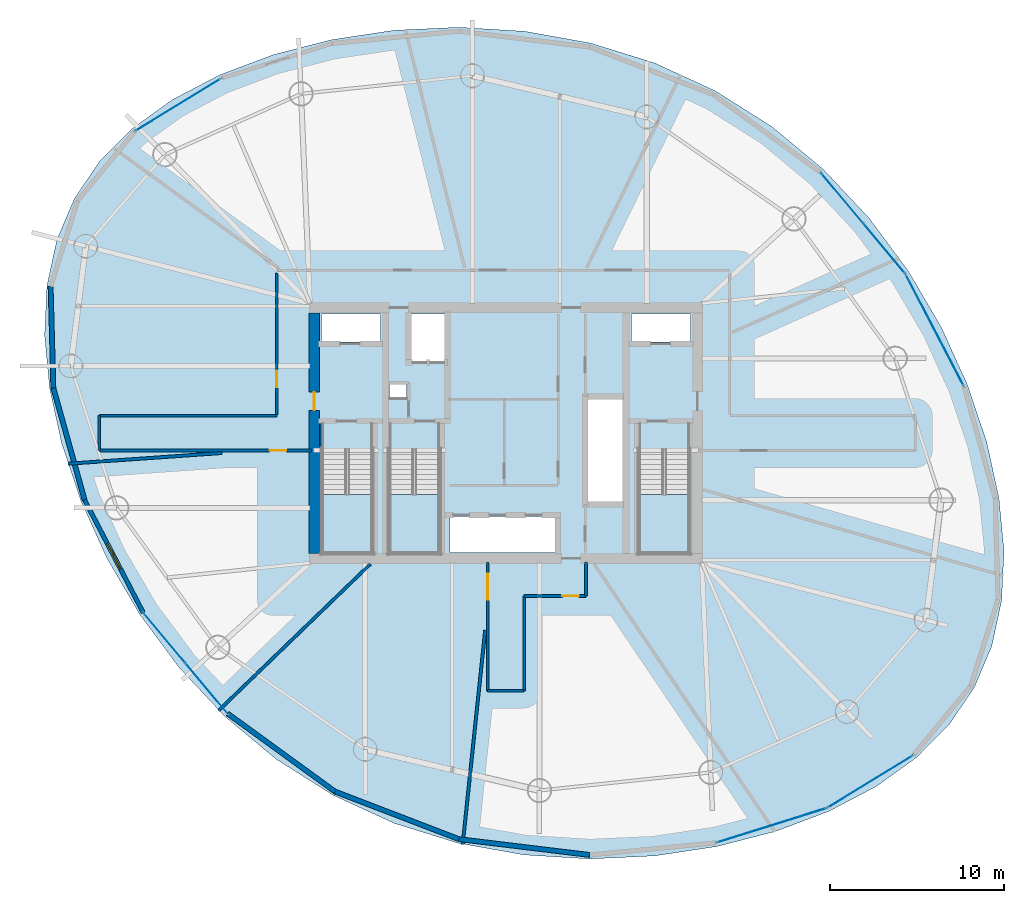
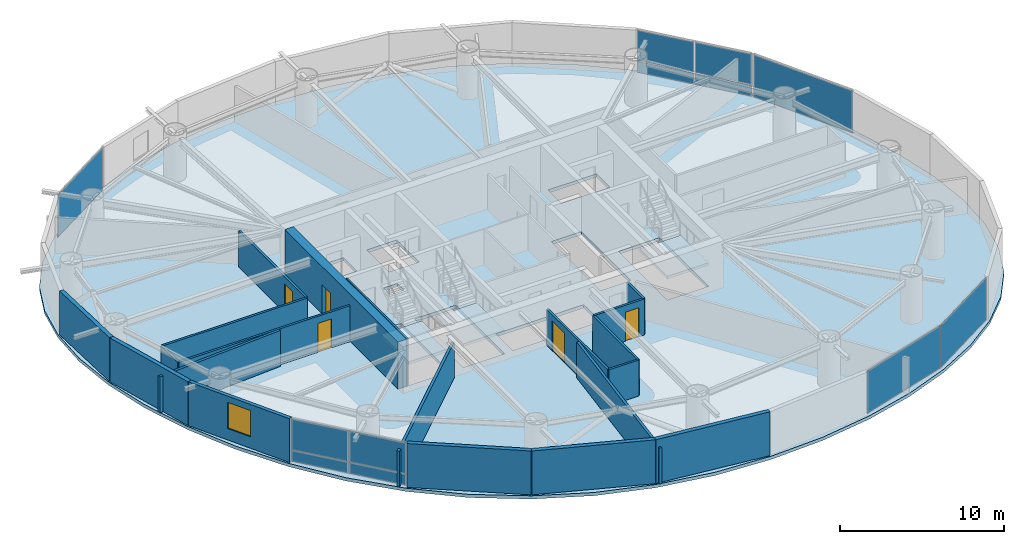
# One storey, part 14 of 20: 20 walls, 12 plates, 5 doors, 4 slabs, 1 window, 6 openings, 9 elements without a shape of their own.
"""IFC4 building model written with IfcOpenShell, lengths in metres."""

from ifc_helpers import new_model, si_unit, direction, frame, frame_2d, origin, origin_2d, place, context, subcontext, project, spatial, polyline, rectangle, outline, extrude, material, layer, layer_set, type_object, element, fill, aggregate, save


model = new_model("IFC4")

# Units and contexts
model_context = context("Model", 3, precision=1e-05, world=origin(), true_north=direction((0.0, 1.0)))
body_context = subcontext(model_context, "Body", "Model", "MODEL_VIEW")
ifc_project = project(units=[si_unit("LENGTHUNIT", "METRE"), si_unit("AREAUNIT", "SQUARE_METRE"), si_unit("VOLUMEUNIT", "CUBIC_METRE"), si_unit("PLANEANGLEUNIT", "RADIAN"), si_unit("MASSUNIT", "GRAM", prefix="KILO")], contexts=[model_context])

# Site, building, storey
site_placement = place(None, origin())
site = spatial("IfcSite", under=ifc_project, at=site_placement, CompositionType="ELEMENT")
building_placement = place(site_placement, origin())
building = spatial("IfcBuilding", under=site, at=building_placement, Name="Bramvorn Convention Spire", CompositionType="ELEMENT")
storey_placement = place(building_placement, frame((0.0, 0.0, 144.800048828125)))
storey = spatial("IfcBuildingStorey", under=building, at=storey_placement, Name="L36", CompositionType="ELEMENT", Elevation=144.800048828125)

# Curtain wall, plate
ifc_material_1 = material(Name="Anodised Bronze Unitised Curtain Wall", Category="aluminium")
ifc_layer_1 = layer(ifc_material_1, 0.179931640625)
ifc_layer_set_1 = layer_set([ifc_layer_1], Name="Anodised Bronze Unitised Curtain Wall - CW-HTL-FRIT")
curtain_wall_type = type_object("IfcCurtainWallType", Name="CW-HTL-FRIT", PredefinedType="USERDEFINED", material=ifc_layer_set_1)
curtain_wall_1_placement = place(storey_placement, origin())
curtain_wall_1 = element("IfcCurtainWall", 1, at=curtain_wall_1_placement, inside=storey, type_object=curtain_wall_type, Name="L36 fritted glass curtain wall 04", ObjectType="UNITISED CURTAIN WALL", PredefinedType="USERDEFINED")
ifc_material_2 = material(Name="Laminated Low-E Glass (Triple IGU Tapered Ceramic Frit 40%)", Category="glass")
ifc_layer_2 = layer(ifc_material_2, 0.0380859375)
ifc_layer_set_2 = layer_set([ifc_layer_2], Name="Laminated Low-E Glass (Triple IGU Tapered Ceramic Frit 40%) - PNL-IGU-2")
plate_type = type_object("IfcPlateType", Name="PNL-IGU-2", PredefinedType="CURTAIN_PANEL", material=ifc_layer_set_2)
plate_1_placement = place(storey_placement, frame((62.617919921875, 31.916259765625, 0.06005859375), z_axis=(0.0, 0.0, 1.0), x_axis=(0.461354032054, -0.887216127619, 0.0)))
plate_1 = element("IfcPlate", 2, at=plate_1_placement, type_object=plate_type, Name="CW2 panel 1.1", PredefinedType="CURTAIN_PANEL", context=body_context, shape_type="SweptSolid", body=[
    extrude(rectangle(XDim=7.171875, YDim=0.028076171875, at=origin_2d()), origin(), (0.0, 0.0, 1.0), 3.139892578125),
])
aggregate(curtain_wall_1, [plate_1])

# Curtain wall, plates
curtain_wall_2_placement = place(storey_placement, origin())
curtain_wall_2 = element("IfcCurtainWall", 3, at=curtain_wall_2_placement, inside=storey, type_object=curtain_wall_type, Name="L36 fritted glass curtain wall 05", ObjectType="UNITISED CURTAIN WALL", PredefinedType="USERDEFINED")
plate_2_placement = place(storey_placement, frame((57.303955078125, 39.494384765625, 0.059814453125), z_axis=(0.0, 0.0, 1.0), x_axis=(0.641454419596, -0.767161148378, 0.0)))
plate_2 = element("IfcPlate", 4, at=plate_2_placement, type_object=plate_type, Name="CW2 panel 1.1", PredefinedType="CURTAIN_PANEL", context=body_context, shape_type="SweptSolid", body=[
    extrude(rectangle(XDim=3.694580078125, YDim=0.028076171875, at=origin_2d()), origin(), (0.0, 0.0, 1.0), 0.81005859375),
])
plate_3_placement = place(storey_placement, frame((57.303955078125, 39.494384765625, 0.929931640625), z_axis=(0.0, 0.0, 1.0), x_axis=(0.641454419596, -0.767161148378, 0.0)))
plate_3 = element("IfcPlate", 5, at=plate_3_placement, type_object=plate_type, Name="CW2 panel 1.2", PredefinedType="CURTAIN_PANEL", context=body_context, shape_type="SweptSolid", body=[
    extrude(rectangle(XDim=3.694580078125, YDim=0.028076171875, at=origin_2d()), origin(), (0.0, 0.0, 1.0), 2.27001953125),
])
plate_4_placement = place(storey_placement, frame((59.71240234375, 36.614013671875, 0.059814453125), z_axis=(0.0, 0.0, 1.0), x_axis=(0.641454419596, -0.767161148378, 0.0)))
plate_4 = element("IfcPlate", 6, at=plate_4_placement, type_object=plate_type, Name="CW2 panel 2.1", PredefinedType="CURTAIN_PANEL", context=body_context, shape_type="SweptSolid", body=[
    extrude(rectangle(XDim=3.694580078125, YDim=0.028076171875, at=origin_2d()), origin(), (0.0, 0.0, 1.0), 0.81005859375),
])
plate_5_placement = place(storey_placement, frame((59.71240234375, 36.614013671875, 0.929931640625), z_axis=(0.0, 0.0, 1.0), x_axis=(0.641454419596, -0.767161148378, 0.0)))
plate_5 = element("IfcPlate", 7, at=plate_5_placement, type_object=plate_type, Name="CW2 panel 2.2", PredefinedType="CURTAIN_PANEL", context=body_context, shape_type="SweptSolid", body=[
    extrude(rectangle(XDim=3.694580078125, YDim=0.028076171875, at=origin_2d()), origin(), (0.0, 0.0, 1.0), 2.27001953125),
])
aggregate(curtain_wall_2, [plate_2, plate_3, plate_4, plate_5])

# Curtain wall, plate
curtain_wall_3_placement = place(storey_placement, origin())
curtain_wall_3 = element("IfcCurtainWall", 8, at=curtain_wall_3_placement, inside=storey, type_object=curtain_wall_type, Name="L36 fritted glass curtain wall 11", ObjectType="UNITISED CURTAIN WALL", PredefinedType="USERDEFINED")
plate_6_placement = place(storey_placement, frame((19.19091796875, 44.8583984375, 0.06005859375), z_axis=(0.0, 0.0, 1.0), x_axis=(0.853024039662, 0.521871619998, 0.0)))
plate_6 = element("IfcPlate", 9, at=plate_6_placement, type_object=plate_type, Name="CW2 panel 1.1", PredefinedType="CURTAIN_PANEL", context=body_context, shape_type="SweptSolid", body=[
    extrude(rectangle(XDim=5.70263671875, YDim=0.028076171875, at=origin_2d()), origin(), (0.0, 0.0, 1.0), 3.139892578125),
])
aggregate(curtain_wall_3, [plate_6])

# Curtain wall, plates
curtain_wall_4_placement = place(storey_placement, origin())
curtain_wall_4 = element("IfcCurtainWall", 10, at=curtain_wall_4_placement, inside=storey, type_object=curtain_wall_type, Name="L36 fritted glass curtain wall 17", ObjectType="UNITISED CURTAIN WALL", PredefinedType="USERDEFINED")
plate_7_placement = place(storey_placement, frame((20.80517578125, 11.3603515625, 0.059814453125), z_axis=(0.0, 0.0, 1.0), x_axis=(-0.641454419596, 0.767161148378, 0.0)))
plate_7 = element("IfcPlate", 11, at=plate_7_placement, type_object=plate_type, Name="CW2 panel 1.1", PredefinedType="CURTAIN_PANEL", context=body_context, shape_type="SweptSolid", body=[
    extrude(rectangle(XDim=3.694580078125, YDim=0.028076171875, at=origin_2d()), origin(), (0.0, 0.0, 1.0), 0.81005859375),
])
plate_8_placement = place(storey_placement, frame((20.80517578125, 11.3603515625, 0.929931640625), z_axis=(0.0, 0.0, 1.0), x_axis=(-0.641454419596, 0.767161148378, 0.0)))
plate_8 = element("IfcPlate", 12, at=plate_8_placement, type_object=plate_type, Name="CW2 panel 1.2", PredefinedType="CURTAIN_PANEL", context=body_context, shape_type="SweptSolid", body=[
    extrude(rectangle(XDim=3.694580078125, YDim=0.028076171875, at=origin_2d()), origin(), (0.0, 0.0, 1.0), 2.27001953125),
])
plate_9_placement = place(storey_placement, frame((18.396728515625, 14.24072265625, 0.059814453125), z_axis=(0.0, 0.0, 1.0), x_axis=(-0.641454419596, 0.767161148378, 0.0)))
plate_9 = element("IfcPlate", 13, at=plate_9_placement, type_object=plate_type, Name="CW2 panel 2.1", PredefinedType="CURTAIN_PANEL", context=body_context, shape_type="SweptSolid", body=[
    extrude(rectangle(XDim=3.694580078125, YDim=0.028076171875, at=origin_2d()), origin(), (0.0, 0.0, 1.0), 0.81005859375),
])
plate_10_placement = place(storey_placement, frame((18.396728515625, 14.24072265625, 0.929931640625), z_axis=(0.0, 0.0, 1.0), x_axis=(-0.641454419596, 0.767161148378, 0.0)))
plate_10 = element("IfcPlate", 14, at=plate_10_placement, type_object=plate_type, Name="CW2 panel 2.2", PredefinedType="CURTAIN_PANEL", context=body_context, shape_type="SweptSolid", body=[
    extrude(rectangle(XDim=3.694580078125, YDim=0.028076171875, at=origin_2d()), origin(), (0.0, 0.0, 1.0), 2.27001953125),
])
aggregate(curtain_wall_4, [plate_7, plate_8, plate_9, plate_10])

# Curtain wall, plate
curtain_wall_5_placement = place(storey_placement, origin())
curtain_wall_5 = element("IfcCurtainWall", 15, at=curtain_wall_5_placement, inside=storey, type_object=curtain_wall_type, Name="L36 fritted glass curtain wall 22", ObjectType="UNITISED CURTAIN WALL", PredefinedType="USERDEFINED")
plate_11_placement = place(storey_placement, frame((53.2548828125, 3.479736328125, 0.06005859375), z_axis=(0.0, 0.0, 1.0), x_axis=(-0.954172195206, -0.299258119182, 0.0)))
plate_11 = element("IfcPlate", 16, at=plate_11_placement, type_object=plate_type, Name="CW2 panel 1.1", PredefinedType="CURTAIN_PANEL", context=body_context, shape_type="SweptSolid", body=[
    extrude(rectangle(XDim=6.545166015625, YDim=0.028076171875, at=origin_2d()), origin(), (0.0, 0.0, 1.0), 3.139892578125),
])
aggregate(curtain_wall_5, [plate_11])

curtain_wall_6_placement = place(storey_placement, origin())
curtain_wall_6 = element("IfcCurtainWall", 17, at=curtain_wall_6_placement, inside=storey, type_object=curtain_wall_type, Name="L36 fritted glass curtain wall 23", ObjectType="UNITISED CURTAIN WALL", PredefinedType="USERDEFINED")
plate_12_placement = place(storey_placement, frame((58.918212890625, 5.996337890625, 0.06005859375), z_axis=(0.0, 0.0, 1.0), x_axis=(-0.853024039662, -0.521871619998, 0.0)))
plate_12 = element("IfcPlate", 18, at=plate_12_placement, type_object=plate_type, Name="CW2 panel 1.1", PredefinedType="CURTAIN_PANEL", context=body_context, shape_type="SweptSolid", body=[
    extrude(rectangle(XDim=5.70263671875, YDim=0.028076171875, at=origin_2d()), origin(), (0.0, 0.0, 1.0), 3.139892578125),
])
aggregate(curtain_wall_6, [plate_12])

# Stair, slab
ifc_material_3 = material(Name="Concrete C40/50 Precast Stair", Category="concrete")
stair_type = type_object("IfcStairType", Name="ST-TOWER-1550", PredefinedType="HALF_TURN_STAIR", material=ifc_material_3)
stair_1_placement = place(storey_placement, origin())
stair_1 = element("IfcStair", 19, at=stair_1_placement, inside=storey, type_object=stair_type, Name="L36 Protected Exit Stair ST1", PredefinedType="HALF_TURN_STAIR")
ifc_material_4 = material(Name="Concrete C40/50 Stair Landing", Category="concrete")
ifc_layer_3 = layer(ifc_material_4, 0.219970703125)
ifc_layer_set_3 = layer_set([ifc_layer_3], Name="Concrete C40/50 Stair Landing - SLB-STAIR-LANDING")
slab_type_1 = type_object("IfcSlabType", Name="SLB-STAIR-LANDING", PredefinedType="LANDING", material=ifc_layer_set_3)
slab_1_placement = place(storey_placement, frame((0.0, 0.0, 1.550048828125)))
slab_1 = element("IfcSlab", 20, at=slab_1_placement, type_object=slab_type_1, Name="ST1 landing 1", PredefinedType="LANDING", context=body_context, shape_type="SweptSolid", body=[
    extrude(outline(polyline([(27.449951171875, 22.485107421875), (27.449951171875, 19.10009765625), (30.35009765625, 19.10009765625), (30.35009765625, 22.485107421875), (27.449951171875, 22.485107421875)])), origin(), (0.0, 0.0, 1.0), 0.199951171875),
])
aggregate(stair_1, [slab_1])

stair_2_placement = place(storey_placement, origin())
stair_2 = element("IfcStair", 21, at=stair_2_placement, inside=storey, type_object=stair_type, Name="L36 Protected Exit Stair ST2", PredefinedType="HALF_TURN_STAIR")
slab_2_placement = place(storey_placement, frame((0.0, 0.0, 1.550048828125)))
slab_2 = element("IfcSlab", 22, at=slab_2_placement, type_object=slab_type_1, Name="ST2 landing 1", PredefinedType="LANDING", context=body_context, shape_type="SweptSolid", body=[
    extrude(outline(polyline([(45.64990234375, 22.485107421875), (45.64990234375, 19.10009765625), (48.550048828125, 19.10009765625), (48.550048828125, 22.485107421875), (45.64990234375, 22.485107421875)])), origin(), (0.0, 0.0, 1.0), 0.199951171875),
])
aggregate(stair_2, [slab_2])

stair_3_placement = place(storey_placement, origin())
stair_3 = element("IfcStair", 23, at=stair_3_placement, inside=storey, type_object=stair_type, Name="L36 Protected Exit Stair ST3", PredefinedType="HALF_TURN_STAIR")
slab_3_placement = place(storey_placement, frame((0.0, 0.0, 1.550048828125)))
slab_3 = element("IfcSlab", 24, at=slab_3_placement, type_object=slab_type_1, Name="ST3 landing 1", PredefinedType="LANDING", context=body_context, shape_type="SweptSolid", body=[
    extrude(outline(polyline([(31.300048828125, 22.485107421875), (31.300048828125, 19.10009765625), (34.199951171875, 19.10009765625), (34.199951171875, 22.485107421875), (31.300048828125, 22.485107421875)])), origin(), (0.0, 0.0, 1.0), 0.199951171875),
])
aggregate(stair_3, [slab_3])

# Slab
ifc_material_5 = material(Name="Concrete C50/60", Category="concrete")
ifc_layer_4 = layer(ifc_material_5, 0.239990234375)
ifc_layer_set_4 = layer_set([ifc_layer_4], Name="Concrete C50/60 - SLB-Z2-240")
slab_type_2 = type_object("IfcSlabType", Name="SLB-Z2-240", PredefinedType="FLOOR", material=ifc_layer_set_4)
slab_4_placement = place(storey_placement, frame((0.0, 0.0, -0.239990234375)))
element("IfcSlab", 25, at=slab_4_placement, inside=storey, type_object=slab_type_2, Name="L36 tower floor slab", PredefinedType="FLOOR", context=body_context, shape_type="SweptSolid", body=[
    extrude(outline(polyline([(64.891845703125, 11.39892578125), (65.89501953125, 13.7734375), (66.459716796875, 16.385986328125), (66.594482421875, 19.22509765625), (66.30859375, 22.263427734375), (65.61181640625, 25.457275390625), (64.510986328125, 28.743896484375), (63.013427734375, 32.04541015625), (61.127197265625, 35.272705078125), (58.863037109375, 38.331298828125), (56.239013671875, 41.130126953125), (53.2822265625, 43.589111328125), (50.031005859375, 45.643798828125), (46.537353515625, 47.251220703125), (42.86474609375, 48.391845703125), (39.088134765625, 49.068115234375), (35.289794921875, 49.301025390625), (31.55615234375, 49.12548828125), (27.9716796875, 48.583251953125), (24.615478515625, 47.71630859375), (21.557373046875, 46.561279296875), (18.853515625, 45.146240234375), (16.5458984375, 43.487060546875), (14.66259765625, 41.59033203125), (13.21728515625, 39.455810546875), (12.21435546875, 37.081298828125), (11.6494140625, 34.46875), (11.5146484375, 31.6298828125), (11.80029296875, 28.59130859375), (12.49755859375, 25.397705078125), (13.59814453125, 22.11083984375), (15.095703125, 18.809326171875), (16.982177734375, 15.582275390625), (19.24609375, 12.523681640625), (21.8701171875, 9.724609375), (24.826904296875, 7.265625), (28.077880859375, 5.211181640625), (31.57177734375, 3.603515625), (35.244384765625, 2.462890625), (39.02099609375, 1.78662109375), (42.8193359375, 1.5537109375), (46.552978515625, 1.729248046875), (50.1376953125, 2.271484375), (53.49365234375, 3.138427734375), (56.5517578125, 4.29345703125), (59.255615234375, 5.70849609375), (61.563232421875, 7.367919921875), (63.44677734375, 9.264404296875), (64.891845703125, 11.39892578125)]), holes=[polyline([(27.449951171875, 25.050048828125), (27.449951171875, 19.10009765625), (30.35009765625, 19.10009765625), (30.35009765625, 25.050048828125), (27.449951171875, 25.050048828125)]), polyline([(45.64990234375, 25.050048828125), (45.64990234375, 19.10009765625), (48.550048828125, 19.10009765625), (48.550048828125, 25.050048828125), (45.64990234375, 25.050048828125)]), polyline([(31.300048828125, 25.050048828125), (31.300048828125, 19.10009765625), (34.199951171875, 19.10009765625), (34.199951171875, 25.050048828125), (31.300048828125, 25.050048828125)]), polyline([(27.39990234375, 31.219970703125), (30.800048828125, 31.219970703125), (30.800048828125, 32.85009765625), (27.39990234375, 32.85009765625), (27.39990234375, 31.219970703125)]), polyline([(45.199951171875, 31.219970703125), (48.60009765625, 31.219970703125), (48.60009765625, 32.85009765625), (45.199951171875, 32.85009765625), (45.199951171875, 31.219970703125)]), polyline([(32.449951171875, 30.14990234375), (34.56005859375, 30.14990234375), (34.56005859375, 32.85009765625), (32.449951171875, 32.85009765625), (32.449951171875, 30.14990234375)]), polyline([(34.800048828125, 19.14990234375), (40.97998046875, 19.14990234375), (40.97998046875, 21.199951171875), (34.800048828125, 21.199951171875), (34.800048828125, 19.14990234375)]), polyline([(42.6201171875, 22.0), (44.75, 22.0), (44.75, 28.0), (42.6201171875, 28.0), (42.6201171875, 22.0)]), polyline([(31.320068359375, 28.02001953125), (32.280029296875, 28.02001953125), (32.280029296875, 28.820068359375), (31.320068359375, 28.820068359375), (31.320068359375, 28.02001953125)])]), origin(), (0.0, 0.0, 1.0), 0.239990234375),
])

# Wall, opening, door
ifc_material_6 = material(Name="Concrete C60/70", Category="concrete")
ifc_layer_5 = layer(ifc_material_6, 0.60009765625)
ifc_layer_set_5 = layer_set([ifc_layer_5], Name="Concrete C60/70 - WL-CORE-600")
wall_type_1 = type_object("IfcWallType", Name="WL-CORE-600", PredefinedType="SHEAR", material=ifc_layer_set_5)
wall_1_placement = place(storey_placement, frame((27.0, 19.10009765625, 0.0), z_axis=(0.0, 0.0, 1.0), x_axis=(0.0, 1.0, 0.0)))
wall_1 = element("IfcWall", 26, at=wall_1_placement, inside=storey, type_object=wall_type_1, Name="L36 West RC core shear wall", PredefinedType="SHEAR", context=body_context, shape_type="SweptSolid", body=[
    extrude(rectangle(XDim=13.7998046875, YDim=0.60009765625, at=frame_2d((6.89990234375, 0.0))), origin(), (0.0, 0.0, 1.0), 3.5),
])
opening_1_placement = place(wall_1_placement, frame((8.199951171875, 0.0, 0.0)))
opening_1 = element("IfcOpeningElement", 27, at=opening_1_placement, cuts=wall_1, Name="Opening DL-105", PredefinedType="OPENING", context=body_context, shape_type="SweptSolid", body=[
    extrude(rectangle(XDim=1.050048828125, YDim=2.14990234375, at=frame_2d((0.52490234375, 1.074951171875))), frame((0.0, 0.31005859375, 0.0), z_axis=(0.0, -1.0, 0.0), x_axis=(1.0, 0.0, 0.0)), (0.0, 0.0, 1.0), 0.6201171875),
])
ifc_material_7 = material(Name="Smoke-Sealed Fire Lobby Timber-Core Door", Category="wood")
door_type_1 = type_object("IfcDoorType", Name="DR-LOBBY-1050", OperationType="NOTDEFINED", PredefinedType="DOOR", material=ifc_material_7)
door_1_placement = place(opening_1_placement, origin())
door_1 = element("IfcDoor", 28, at=door_1_placement, inside=storey, type_object=door_type_1, Name="L36 West Firefighting Lobby corridor door", OperationType="SINGLE_SWING_RIGHT", OverallHeight=2.14990234375, OverallWidth=1.050048828125, PredefinedType="DOOR", context=body_context, shape_type="SweptSolid", body=[
    extrude(rectangle(XDim=1.050048828125, YDim=2.14990234375, at=frame_2d((0.52490234375, 1.074951171875))), frame((0.0, 0.02490234375, 0.0), z_axis=(0.0, -1.0, 0.0), x_axis=(1.0, 0.0, 0.0)), (0.0, 0.0, 1.0), 0.050048828125),
])
fill(opening_1, door_1)

# Walls
ifc_material_8 = material(Name="Precast Concrete C40/50 with Bronze Terracotta Rainscreen", Category="masonry")
ifc_layer_6 = layer(ifc_material_8, 0.300048828125)
ifc_layer_set_6 = layer_set([ifc_layer_6], Name="Precast Concrete C40/50 with Bronze Terracotta Rainscreen - WL-EXT-BRONZE-300")
wall_type_2 = type_object("IfcWallType", Name="WL-EXT-BRONZE-300", PredefinedType="SOLIDWALL", material=ifc_layer_set_6)
wall_2_placement = place(storey_placement, frame((12.018310546875, 28.59326171875, 0.0), z_axis=(0.0, 0.0, 1.0), x_axis=(-0.026918642547, 0.999637627685, 0.0)))
element("IfcWall", 29, at=wall_2_placement, inside=storey, type_object=wall_type_2, Name="L36 expressed bronze Gothic lancet pier wall 14", PredefinedType="SOLIDWALL", context=body_context, shape_type="SweptSolid", body=[
    extrude(rectangle(XDim=5.82275390625, YDim=0.280029296875, at=frame_2d((2.911376953125, 0.0))), origin(), (0.0, 0.0, 1.0), 3.260009765625),
])
wall_3_placement = place(storey_placement, frame((13.80908203125, 22.17333984375, 0.0), z_axis=(0.0, 0.0, 1.0), x_axis=(-0.268682789377, 0.963228715671, 0.0)))
element("IfcWall", 30, at=wall_3_placement, inside=storey, type_object=wall_type_2, Name="L36 expressed bronze Gothic lancet pier wall 15", PredefinedType="SOLIDWALL", context=body_context, shape_type="SweptSolid", body=[
    extrude(rectangle(XDim=6.6650390625, YDim=0.280029296875, at=frame_2d((3.33251953125, 0.0))), origin(), (0.0, 0.0, 1.0), 3.260009765625),
])

# Wall, opening, window
wall_4_placement = place(storey_placement, frame((17.17333984375, 15.703857421875, 0.0), z_axis=(0.0, 0.0, 1.0), x_axis=(-0.461366440975, 0.887209674847, 0.0)))
wall_4 = element("IfcWall", 31, at=wall_4_placement, inside=storey, type_object=wall_type_2, Name="L36 bronze ceramic-frit spandrel & operable window bay 16", PredefinedType="SOLIDWALL", context=body_context, shape_type="SweptSolid", body=[
    extrude(rectangle(XDim=7.2919921875, YDim=0.239990234375, at=frame_2d((3.64599609375, 0.0))), origin(), (0.0, 0.0, 1.0), 3.260009765625),
])
opening_2_placement = place(wall_4_placement, frame((2.82080078125, 0.0, 0.85009765625)))
opening_2 = element("IfcOpeningElement", 32, at=opening_2_placement, cuts=wall_4, Name="Opening WN08", PredefinedType="OPENING", context=body_context, shape_type="SweptSolid", body=[
    extrude(rectangle(XDim=1.64990234375, YDim=1.949951171875, at=frame_2d((0.824951171875, 0.97509765625))), frame((0.0, 0.1298828125, 0.0), z_axis=(0.0, -1.0, 0.0), x_axis=(1.0, 0.0, 0.0)), (0.0, 0.0, 1.0), 0.260009765625),
])
ifc_material_9 = material(Name="Thermally Broken Bronze Aluminium & Triple Low-E Glass", Category="aluminium")
window_type = type_object("IfcWindowType", Name="WN-OP-1650X1950", PartitioningType="SINGLE_PANEL", PredefinedType="WINDOW", material=ifc_material_9)
window_placement = place(opening_2_placement, origin())
window = element("IfcWindow", 33, at=window_placement, inside=storey, type_object=window_type, Name="L36 operable parallel-vent window 16", OverallHeight=1.949951171875, OverallWidth=1.64990234375, PartitioningType="SINGLE_PANEL", PredefinedType="WINDOW", context=body_context, shape_type="SweptSolid", body=[
    extrude(rectangle(XDim=1.64990234375, YDim=1.949951171875, at=frame_2d((0.824951171875, 0.97509765625))), frame((0.0, 0.030029296875, 0.0), z_axis=(0.0, -1.0, 0.0), x_axis=(1.0, 0.0, 0.0)), (0.0, 0.0, 1.0), 0.06005859375),
])
fill(opening_2, window)

# Walls
for number, where, z_axis, x_axis, name in (
    (34, (28.19140625, 5.419921875, 0.0), (0.0, 0.0, 1.0), (-0.809033957353, 0.587761904048, 0.0), "L36 expressed bronze Gothic lancet pier wall 18"),
    (35, (35.302734375, 2.689697265625, 0.0), (0.0, 0.0, 1.0), (-0.933561033941, 0.358418464796, 0.0), "L36 expressed bronze Gothic lancet pier wall 19"),
):
    element("IfcWall", number, at=place(storey_placement, frame(where, z_axis=z_axis, x_axis=x_axis)), inside=storey, type_object=wall_type_2, Name=name, PredefinedType="SOLIDWALL", context=body_context, shape_type="SweptSolid", body=[
        extrude(rectangle(XDim=7.617431640625, YDim=0.280029296875, at=frame_2d((3.80859375, 0.0))), origin(), (0.0, 0.0, 1.0), 3.260009765625),
    ])
wall_5_placement = place(storey_placement, frame((42.817138671875, 1.780517578125, 0.0), z_axis=(0.0, 0.0, 1.0), x_axis=(-0.992759912425, 0.120115595499, 0.0)))
element("IfcWall", 36, at=wall_5_placement, inside=storey, type_object=wall_type_2, Name="L36 expressed bronze Gothic lancet pier wall 20", PredefinedType="SOLIDWALL", context=body_context, shape_type="SweptSolid", body=[
    extrude(rectangle(XDim=7.569091796875, YDim=0.280029296875, at=frame_2d((3.78466796875, 0.0))), origin(), (0.0, 0.0, 1.0), 3.260009765625),
])

# Wall, opening, door
ifc_material_10 = material(Name="Acoustic Metal-Stud Tenant/Corridor Partition", Category="gypsum")
ifc_layer_7 = layer(ifc_material_10, 0.14990234375)
ifc_layer_set_7 = layer_set([ifc_layer_7], Name="Acoustic Metal-Stud Tenant/Corridor Partition - WL-PART-150")
wall_type_3 = type_object("IfcWallType", Name="WL-PART-150", PredefinedType="PARTITIONING", material=ifc_layer_set_7)
wall_6_placement = place(storey_placement, frame((24.85009765625, 27.080078125, 0.0), z_axis=(0.0, 0.0, 1.0), x_axis=(0.0, 1.0, 0.0)))
wall_6 = element("IfcWall", 37, at=wall_6_placement, inside=storey, type_object=wall_type_3, Name="L36 NW gallery cheek", PredefinedType="PARTITIONING", context=body_context, shape_type="SweptSolid", body=[
    extrude(rectangle(XDim=8.119873046875, YDim=0.14990234375, at=frame_2d((4.06005859375, 0.0))), origin(), (0.0, 0.0, 1.0), 2.675048828125),
])
opening_3_placement = place(wall_6_placement, frame((1.554931640625, 0.0, 0.0)))
opening_3 = element("IfcOpeningElement", 38, at=opening_3_placement, cuts=wall_6, Name="Opening DH-095", PredefinedType="OPENING", context=body_context, shape_type="SweptSolid", body=[
    extrude(rectangle(XDim=0.949951171875, YDim=2.14990234375, at=frame_2d((0.47509765625, 1.074951171875))), frame((0.0, 0.0849609375, 0.0), z_axis=(0.0, -1.0, 0.0), x_axis=(1.0, 0.0, 0.0)), (0.0, 0.0, 1.0), 0.169921875),
])
ifc_material_11 = material(Name="Solid-Core Acoustic Guestroom Entry Door", Category="wood")
door_type_2 = type_object("IfcDoorType", Name="DR-HOTEL-950", OperationType="NOTDEFINED", PredefinedType="DOOR", material=ifc_material_11)
door_2_placement = place(opening_3_placement, origin())
door_2 = element("IfcDoor", 39, at=door_2_placement, inside=storey, type_object=door_type_2, Name="L36 C-Suite Meeting Boardroom 4 door", OperationType="SINGLE_SWING_LEFT", OverallHeight=2.14990234375, OverallWidth=0.949951171875, PredefinedType="DOOR", context=body_context, shape_type="SweptSolid", body=[
    extrude(rectangle(XDim=0.949951171875, YDim=2.14990234375, at=frame_2d((0.47509765625, 1.074951171875))), frame((0.0, 0.02490234375, 0.0), z_axis=(0.0, -1.0, 0.0), x_axis=(1.0, 0.0, 0.0)), (0.0, 0.0, 1.0), 0.050048828125),
])
fill(opening_3, door_2)

# Wall
wall_7_placement = place(storey_placement, frame((14.6611328125, 27.0, 0.0), z_axis=(0.0, 0.0, 1.0), x_axis=(1.0, 0.0, 0.0)))
element("IfcWall", 40, at=wall_7_placement, inside=storey, type_object=wall_type_3, Name="L36 West wing spine north wall", PredefinedType="PARTITIONING", context=body_context, shape_type="SweptSolid", body=[
    extrude(rectangle(XDim=10.18896484375, YDim=0.14990234375, at=frame_2d((5.094482421875, 0.0))), origin(), (0.0, 0.0, 1.0), 2.675048828125),
])

# Wall, opening, door
wall_8_placement = place(storey_placement, frame((14.6611328125, 25.0, 0.0), z_axis=(0.0, 0.0, 1.0), x_axis=(1.0, 0.0, 0.0)))
wall_8 = element("IfcWall", 41, at=wall_8_placement, inside=storey, type_object=wall_type_3, Name="L36 West wing spine south wall", PredefinedType="PARTITIONING", context=body_context, shape_type="SweptSolid", body=[
    extrude(rectangle(XDim=12.18896484375, YDim=0.14990234375, at=frame_2d((6.094482421875, 0.0))), origin(), (0.0, 0.0, 1.0), 2.675048828125),
])
opening_4_placement = place(wall_8_placement, frame((9.779296875, 0.0, 0.0)))
opening_4 = element("IfcOpeningElement", 42, at=opening_4_placement, cuts=wall_8, Name="Opening DH-095", PredefinedType="OPENING", context=body_context, shape_type="SweptSolid", body=[
    extrude(rectangle(XDim=0.949951171875, YDim=2.14990234375, at=frame_2d((0.47509765625, 1.074951171875))), frame((0.0, 0.0849609375, 0.0), z_axis=(0.0, -1.0, 0.0), x_axis=(1.0, 0.0, 0.0)), (0.0, 0.0, 1.0), 0.169921875),
])
door_3_placement = place(opening_4_placement, origin())
door_3 = element("IfcDoor", 43, at=door_3_placement, inside=storey, type_object=door_type_2, Name="L36 Managing Director Office 5 door", OperationType="SINGLE_SWING_RIGHT", OverallHeight=2.14990234375, OverallWidth=0.949951171875, PredefinedType="DOOR", context=body_context, shape_type="SweptSolid", body=[
    extrude(rectangle(XDim=0.949951171875, YDim=2.14990234375, at=frame_2d((0.47509765625, 1.074951171875))), frame((0.0, 0.02490234375, 0.0), z_axis=(0.0, -1.0, 0.0), x_axis=(1.0, 0.0, 0.0)), (0.0, 0.0, 1.0), 0.050048828125),
])
fill(opening_4, door_3)

# Wall
wall_9_placement = place(storey_placement, frame((14.6611328125, 25.0, 0.0), z_axis=(0.0, 0.0, 1.0), x_axis=(0.0, 1.0, 0.0)))
element("IfcWall", 44, at=wall_9_placement, inside=storey, type_object=wall_type_3, Name="L36 West wing spine end wall", PredefinedType="PARTITIONING", context=body_context, shape_type="SweptSolid", body=[
    extrude(rectangle(XDim=2.0, YDim=0.14990234375, at=frame_2d((1.0, 0.0))), origin(), (0.0, 0.0, 1.0), 2.675048828125),
])

# Wall, opening, door
wall_10_placement = place(storey_placement, frame((36.949951171875, 11.199951171875, 0.0), z_axis=(0.0, 0.0, 1.0), x_axis=(0.0, 1.0, 0.0)))
wall_10 = element("IfcWall", 45, at=wall_10_placement, inside=storey, type_object=wall_type_3, Name="L36 South axial spine west wall", PredefinedType="PARTITIONING", context=body_context, shape_type="SweptSolid", body=[
    extrude(rectangle(XDim=7.400146484375, YDim=0.14990234375, at=frame_2d((3.7001953125, 0.0))), origin(), (0.0, 0.0, 1.0), 2.675048828125),
])
opening_5_placement = place(wall_10_placement, frame((5.237060546875, 0.0, 0.0)))
opening_5 = element("IfcOpeningElement", 46, at=opening_5_placement, cuts=wall_10, Name="Opening DC-150", PredefinedType="OPENING", context=body_context, shape_type="SweptSolid", body=[
    extrude(rectangle(XDim=1.5, YDim=2.199951171875, at=frame_2d((0.75, 1.10009765625))), frame((0.0, 0.0849609375, 0.0), z_axis=(0.0, -1.0, 0.0), x_axis=(1.0, 0.0, 0.0)), (0.0, 0.0, 1.0), 0.169921875),
])
ifc_material_12 = material(Name="Double-Leaf Smoke-Control Corridor Door", Category="wood")
door_type_3 = type_object("IfcDoorType", Name="DR-COR-1500", OperationType="NOTDEFINED", PredefinedType="DOOR", material=ifc_material_12)
door_4_placement = place(opening_5_placement, origin())
door_4 = element("IfcDoor", 47, at=door_4_placement, inside=storey, type_object=door_type_3, Name="L36 Reception Gallery 6 door", OperationType="DOUBLE_DOOR_SINGLE_SWING", OverallHeight=2.199951171875, OverallWidth=1.5, PredefinedType="DOOR", context=body_context, shape_type="SweptSolid", body=[
    extrude(rectangle(XDim=1.5, YDim=2.199951171875, at=frame_2d((0.75, 1.10009765625))), frame((0.0, 0.02490234375, 0.0), z_axis=(0.0, -1.0, 0.0), x_axis=(1.0, 0.0, 0.0)), (0.0, 0.0, 1.0), 0.050048828125),
])
fill(opening_5, door_4)

# Wall
wall_11_placement = place(storey_placement, frame((39.050048828125, 11.199951171875, 0.0), z_axis=(0.0, 0.0, 1.0), x_axis=(0.0, 1.0, 0.0)))
element("IfcWall", 48, at=wall_11_placement, inside=storey, type_object=wall_type_3, Name="L36 South axial spine east wall", PredefinedType="PARTITIONING", context=body_context, shape_type="SweptSolid", body=[
    extrude(rectangle(XDim=5.449951171875, YDim=0.14990234375, at=frame_2d((2.72509765625, 0.0))), origin(), (0.0, 0.0, 1.0), 2.675048828125),
])

# Wall, opening, door
wall_12_placement = place(storey_placement, frame((39.050048828125, 16.64990234375, 0.0), z_axis=(0.0, 0.0, 1.0), x_axis=(1.0, 0.0, 0.0)))
wall_12 = element("IfcWall", 49, at=wall_12_placement, inside=storey, type_object=wall_type_3, Name="L36 South lift lobby link wall", PredefinedType="PARTITIONING", context=body_context, shape_type="SweptSolid", body=[
    extrude(rectangle(XDim=3.550048828125, YDim=0.14990234375, at=frame_2d((1.77490234375, 0.0))), origin(), (0.0, 0.0, 1.0), 2.675048828125),
])
opening_6_placement = place(wall_12_placement, frame((2.1875, 0.0, 0.0)))
opening_6 = element("IfcOpeningElement", 50, at=opening_6_placement, cuts=wall_12, Name="Opening DH-095", PredefinedType="OPENING", context=body_context, shape_type="SweptSolid", body=[
    extrude(rectangle(XDim=0.949951171875, YDim=2.14990234375, at=frame_2d((0.47509765625, 1.074951171875))), frame((0.0, 0.0849609375, 0.0), z_axis=(0.0, -1.0, 0.0), x_axis=(1.0, 0.0, 0.0)), (0.0, 0.0, 1.0), 0.169921875),
])
door_5_placement = place(opening_6_placement, origin())
door_5 = element("IfcDoor", 51, at=door_5_placement, inside=storey, type_object=door_type_2, Name="L36 Executive Strategy Suite 7 door", OperationType="SINGLE_SWING_RIGHT", OverallHeight=2.14990234375, OverallWidth=0.949951171875, PredefinedType="DOOR", context=body_context, shape_type="SweptSolid", body=[
    extrude(rectangle(XDim=0.949951171875, YDim=2.14990234375, at=frame_2d((0.47509765625, 1.074951171875))), frame((0.0, 0.02490234375, 0.0), z_axis=(0.0, -1.0, 0.0), x_axis=(1.0, 0.0, 0.0)), (0.0, 0.0, 1.0), 0.050048828125),
])
fill(opening_6, door_5)

# Walls
wall_13_placement = place(storey_placement, frame((42.60009765625, 16.64990234375, 0.0), z_axis=(0.0, 0.0, 1.0), x_axis=(0.0, 1.0, 0.0)))
element("IfcWall", 52, at=wall_13_placement, inside=storey, type_object=wall_type_3, Name="L36 South lift lobby east cheek", PredefinedType="PARTITIONING", context=body_context, shape_type="SweptSolid", body=[
    extrude(rectangle(XDim=1.9501953125, YDim=0.14990234375, at=frame_2d((0.97509765625, 0.0))), origin(), (0.0, 0.0, 1.0), 2.675048828125),
])
wall_14_placement = place(storey_placement, frame((36.949951171875, 11.199951171875, 0.0), z_axis=(0.0, 0.0, 1.0), x_axis=(1.0, 0.0, 0.0)))
element("IfcWall", 53, at=wall_14_placement, inside=storey, type_object=wall_type_3, Name="L36 South axial spine end wall", PredefinedType="PARTITIONING", context=body_context, shape_type="SweptSolid", body=[
    extrude(rectangle(XDim=2.10009765625, YDim=0.14990234375, at=frame_2d((1.050048828125, 0.0))), origin(), (0.0, 0.0, 1.0), 2.675048828125),
])
ifc_material_13 = material(Name="Double-Stud Acoustic Hotel/Suite Partition", Category="gypsum")
ifc_layer_8 = layer(ifc_material_13, 0.175048828125)
ifc_layer_set_8 = layer_set([ifc_layer_8], Name="Double-Stud Acoustic Hotel/Suite Partition - WL-PART-175")
wall_type_4 = type_object("IfcWallType", Name="WL-PART-175", PredefinedType="PARTITIONING", material=ifc_layer_set_8)
wall_15_placement = place(storey_placement, frame((21.697265625, 24.860107421875, 0.0), z_axis=(0.0, 0.0, 1.0), x_axis=(-0.997564105518, -0.069755683505, 0.0)))
element("IfcWall", 54, at=wall_15_placement, inside=storey, type_object=wall_type_4, Name="L36 Tenant suite partition 5", PredefinedType="PARTITIONING", context=body_context, shape_type="SweptSolid", body=[
    extrude(rectangle(XDim=8.865234375, YDim=0.175048828125, at=frame_2d((4.4326171875, 0.0))), origin(), (0.0, 0.0, 1.0), 2.675048828125),
])
wall_16_placement = place(storey_placement, frame((30.212890625, 18.47998046875, 0.0), z_axis=(0.0, 0.0, 1.0), x_axis=(-0.719339612446, -0.694658565027, 0.0)))
element("IfcWall", 55, at=wall_16_placement, inside=storey, type_object=wall_type_4, Name="L36 Tenant suite partition 6", PredefinedType="PARTITIONING", context=body_context, shape_type="SweptSolid", body=[
    extrude(rectangle(XDim=12.107666015625, YDim=0.175048828125, at=frame_2d((6.0537109375, 0.0))), origin(), (0.0, 0.0, 1.0), 2.675048828125),
])
wall_17_placement = place(storey_placement, frame((36.81005859375, 14.677978515625, 0.0), z_axis=(0.0, 0.0, 1.0), x_axis=(-0.104534714601, -0.994521238307, 0.0)))
element("IfcWall", 56, at=wall_17_placement, inside=storey, type_object=wall_type_4, Name="L36 Tenant suite partition 7", PredefinedType="PARTITIONING", context=body_context, shape_type="SweptSolid", body=[
    extrude(rectangle(XDim=12.364013671875, YDim=0.175048828125, at=frame_2d((6.18212890625, 0.0))), origin(), (0.0, 0.0, 1.0), 2.675048828125),
])
ifc_layer_9 = layer(ifc_material_5, 0.1201171875)
ifc_layer_set_9 = layer_set([ifc_layer_9], Name="Concrete C50/60 - WL-STAIR-RC-120")
wall_type_5 = type_object("IfcWallType", Name="WL-STAIR-RC-120", PredefinedType="SHEAR", material=ifc_layer_set_9)
wall_18_placement = place(storey_placement, frame((27.39501953125, 19.10009765625, 0.0), z_axis=(0.0, 0.0, 1.0), x_axis=(0.0, 1.0, 0.0)))
element("IfcWall", 57, at=wall_18_placement, inside=storey, type_object=wall_type_5, Name="L36 ST1 west bearing shear wall", PredefinedType="SHEAR", context=body_context, shape_type="SweptSolid", body=[
    extrude(rectangle(XDim=7.449951171875, YDim=0.1201171875, at=frame_2d((3.72509765625, 0.0))), origin(), (0.0, 0.0, 1.0), 3.5),
])

save(model, "model.ifc")
